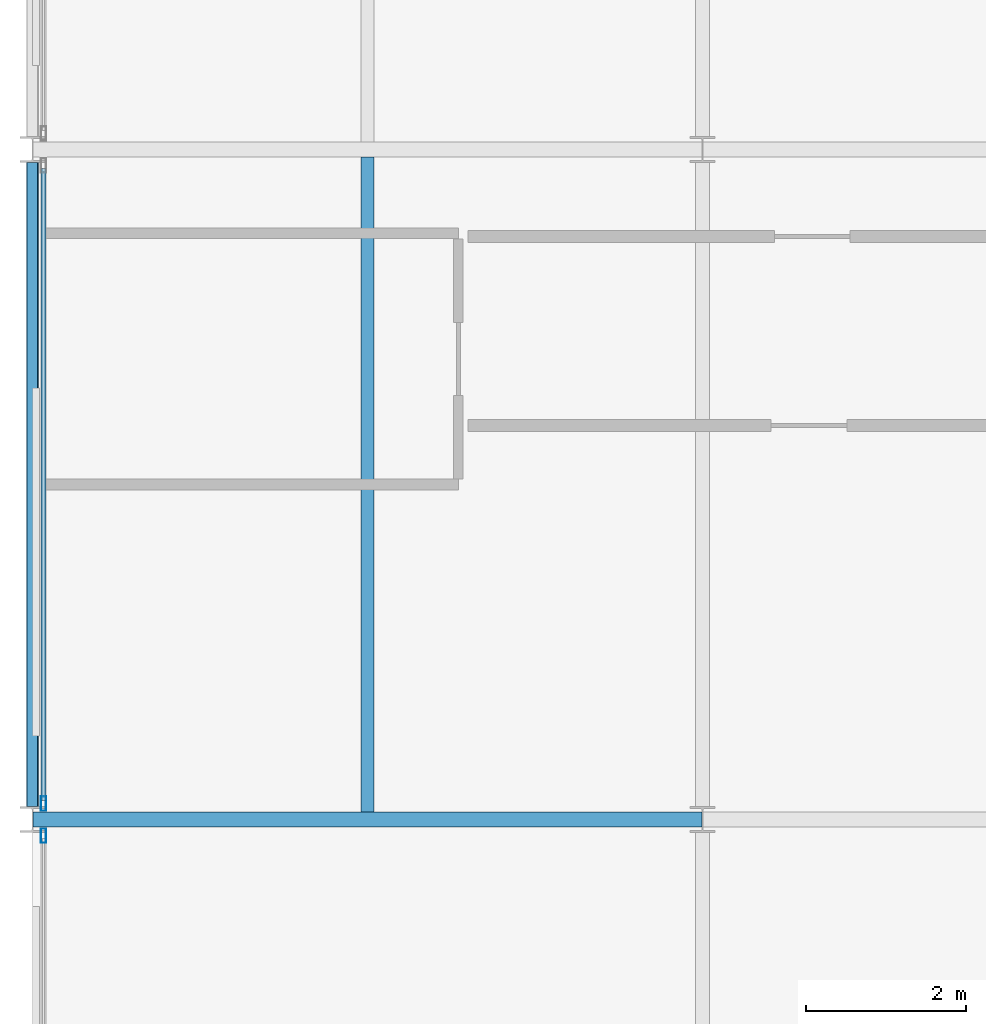
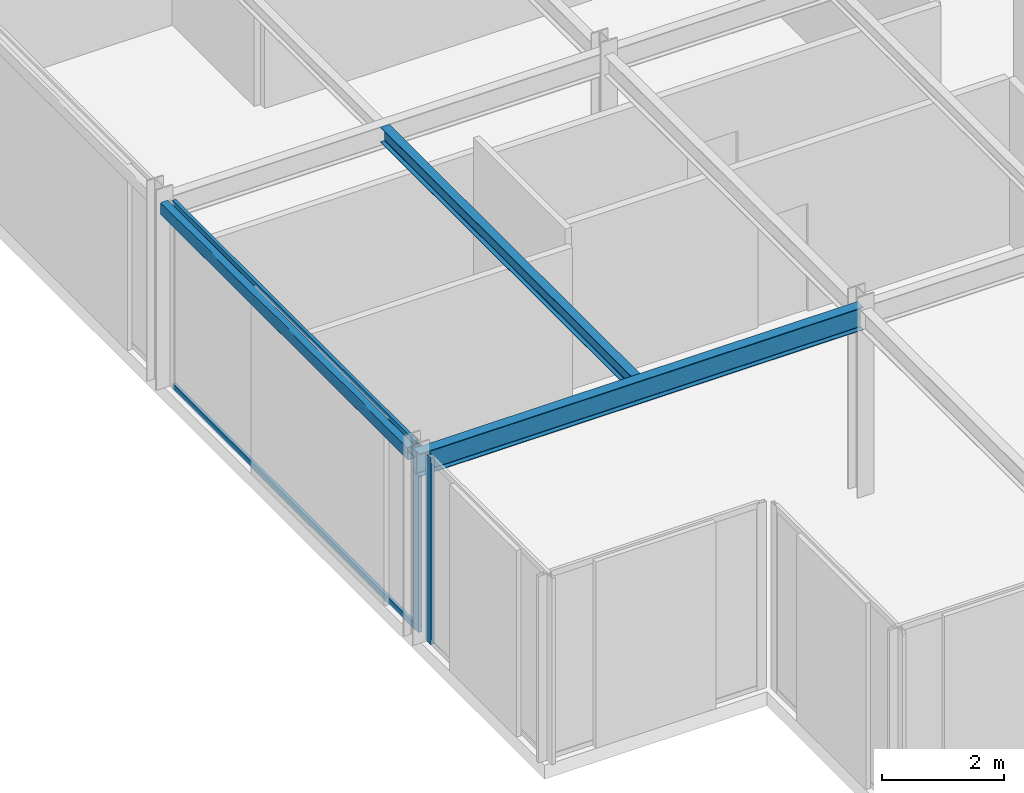
# One storey, part 5 of 26: 4 members, 3 beams, 2 elements without a shape of their own.
"""IFC4 building model written with IfcOpenShell, lengths in metres."""

from ifc_helpers import new_model, si_unit, direction, frame, origin, origin_2d, place, context, subcontext, project, spatial, hollow_rectangle, i_section, extrude, material, layer, layer_set, material_profile, profile_set, type_object, element, aggregate, save


model = new_model("IFC4")

# Units and contexts
model_context = context("Model", 3, precision=1e-05, world=origin(), true_north=direction((0.0, 1.0)))
body_context = subcontext(model_context, "Body", "Model", "MODEL_VIEW")
ifc_project = project(units=[si_unit("LENGTHUNIT", "METRE"), si_unit("AREAUNIT", "SQUARE_METRE"), si_unit("VOLUMEUNIT", "CUBIC_METRE"), si_unit("PLANEANGLEUNIT", "RADIAN"), si_unit("MASSUNIT", "GRAM", prefix="KILO")], contexts=[model_context])

# Site, building, storey
site_placement = place(None, origin())
site = spatial("IfcSite", under=ifc_project, at=site_placement, CompositionType="ELEMENT")
building_placement = place(site_placement, origin())
building = spatial("IfcBuilding", under=site, at=building_placement, Name="Nerrivon Quay Data Exchange", CompositionType="ELEMENT")
storey_placement = place(building_placement, frame((0.0, 0.0, 262.199951171875)))
storey = spatial("IfcBuildingStorey", under=building, at=storey_placement, Name="L62", CompositionType="ELEMENT", Elevation=262.199951171875)

# Beams
ifc_material_1 = material(Name="Steel Grade 350", Category="steel")
ifc_material_profile_1 = material_profile(ifc_material_1, i_section(OverallWidth=0.18994140625, OverallDepth=0.4541015625, WebThickness=0.008544921875, FlangeThickness=0.0126953125, FilletRadius=0.011474609375, at=origin_2d()), Name="460UB67.1")
ifc_profile_set_1 = profile_set([ifc_material_profile_1], Name="Steel Grade 350")
beam_type_1 = type_object("IfcBeamType", Name="BM-G6-460UB67", PredefinedType="BEAM", material=ifc_profile_set_1)
beam_1_placement = place(storey_placement, frame((0.0078125, 8.39990234375, 3.498046875), z_axis=(1.0, 0.0, 0.0), x_axis=(0.0, 1.0, 0.0)))
element("IfcBeam", 1, at=beam_1_placement, inside=storey, type_object=beam_type_1, Name="L62 EW Girder Y=8.4 (0.0..8.4)", PredefinedType="BEAM", context=body_context, shape_type="SweptSolid", body=[
    extrude(i_section(OverallWidth=0.18994140625, OverallDepth=0.4541015625, WebThickness=0.008544921875, FlangeThickness=0.0126953125, FilletRadius=0.011474609375, at=origin_2d()), origin(), (0.0, 0.0, 1.0), 8.38427734375),
])
ifc_material_profile_2 = material_profile(ifc_material_1, i_section(OverallWidth=0.1650390625, OverallDepth=0.303955078125, WebThickness=0.006103515625, FlangeThickness=0.01025390625, FilletRadius=0.011474609375, at=origin_2d()), Name="310UB40.4")
ifc_profile_set_2 = profile_set([ifc_material_profile_2], Name="Steel Grade 350")
beam_type_2 = type_object("IfcBeamType", Name="BM-J6-310UB40", PredefinedType="JOIST", material=ifc_profile_set_2)
beam_2_placement = place(storey_placement, frame((4.199951171875, 8.4951171875, 3.572998046875), z_axis=(0.0, 1.0, 0.0), x_axis=(-1.0, 0.0, 0.0)))
element("IfcBeam", 2, at=beam_2_placement, inside=storey, type_object=beam_type_2, Name="L62 Secondary Joist X=4.2 (8.4..16.8)", PredefinedType="JOIST", context=body_context, shape_type="SweptSolid", body=[
    extrude(i_section(OverallWidth=0.1650390625, OverallDepth=0.303955078125, WebThickness=0.006103515625, FlangeThickness=0.01025390625, FilletRadius=0.011474609375, at=origin_2d()), origin(), (0.0, 0.0, 1.0), 8.2099609375),
])
ifc_material_2 = material(Name="Steel Grade C350L0 (350 MPa)", Category="steel")
ifc_material_profile_3 = material_profile(ifc_material_2, hollow_rectangle(XDim=0.14990234375, YDim=0.25, WallThickness=0.009033203125, InnerFilletRadius=0.013427734375, OuterFilletRadius=0.0224609375, at=origin_2d()), Name="250x150x9.0RHS")
ifc_profile_set_3 = profile_set([ifc_material_profile_3], Name="Steel Grade C350L0 (350 MPa)")
beam_type_3 = type_object("IfcBeamType", Name="BM-SP4-250x150RHS", PredefinedType="SPANDREL", material=ifc_profile_set_3)
beam_3_placement = place(storey_placement, frame((0.0, 8.5634765625, 3.60009765625), z_axis=(0.0, 1.0, 0.0), x_axis=(-1.0, 0.0, 0.0)))
element("IfcBeam", 3, at=beam_3_placement, inside=storey, type_object=beam_type_3, Name="L62 NS Girder X=0.0 (8.4..16.8)", PredefinedType="SPANDREL", context=body_context, shape_type="SweptSolid", body=[
    extrude(hollow_rectangle(XDim=0.14990234375, YDim=0.25, WallThickness=0.009033203125, InnerFilletRadius=0.013427734375, OuterFilletRadius=0.0224609375, at=origin_2d()), origin(), (0.0, 0.0, 1.0), 8.072998046875),
])

# Curtain wall, member
ifc_material_3 = material(Name="Anodised aluminium 6063-T6", Category="aluminium")
ifc_layer = layer(ifc_material_3, 0.195068359375)
ifc_layer_set = layer_set([ifc_layer], Name="Anodised aluminium 6063-T6")
curtain_wall_type = type_object("IfcCurtainWallType", Name="CW-SYS-06", PredefinedType="NOTDEFINED", material=ifc_layer_set)
curtain_wall_1_placement = place(storey_placement, origin())
curtain_wall_1 = element("IfcCurtainWall", 4, at=curtain_wall_1_placement, inside=storey, type_object=curtain_wall_type, Name="L62 Unitised Curtain Wall 11", PredefinedType="NOTDEFINED")
ifc_material_profile_4 = material_profile(ifc_material_3, hollow_rectangle(XDim=0.06494140625, YDim=0.179931640625, WallThickness=0.00341796875, at=origin_2d()), Name="ALU-MULL-180x65")
ifc_profile_set_4 = profile_set([ifc_material_profile_4], Name="Anodised aluminium 6063-T6")
member_type_1 = type_object("IfcMemberType", Name="CWM-180x65", PredefinedType="MULLION", material=ifc_profile_set_4)
member_1_placement = place(storey_placement, frame((0.139892578125, 8.198974609375, 0.0), z_axis=(0.0, 0.0, 1.0), x_axis=(-1.0, 0.0, 0.0)))
member_1 = element("IfcMember", 5, at=member_1_placement, type_object=member_type_1, Name="CW06 mullion 2", PredefinedType="MULLION", context=body_context, shape_type="SweptSolid", body=[
    extrude(hollow_rectangle(XDim=0.06494140625, YDim=0.179931640625, WallThickness=0.00341796875, at=origin_2d()), origin(), (0.0, 0.0, 1.0), 3.72509765625),
])
aggregate(curtain_wall_1, [member_1])

# Curtain wall, members
curtain_wall_2_placement = place(storey_placement, origin())
curtain_wall_2 = element("IfcCurtainWall", 6, at=curtain_wall_2_placement, inside=storey, type_object=curtain_wall_type, Name="L62 Unitised Curtain Wall 12", PredefinedType="NOTDEFINED")
member_2_placement = place(storey_placement, frame((0.139892578125, 8.60107421875, 0.0), z_axis=(0.0, 0.0, 1.0), x_axis=(-1.0, 0.0, 0.0)))
member_2 = element("IfcMember", 7, at=member_2_placement, type_object=member_type_1, Name="CW06 mullion 1", PredefinedType="MULLION", context=body_context, shape_type="SweptSolid", body=[
    extrude(hollow_rectangle(XDim=0.06494140625, YDim=0.179931640625, WallThickness=0.00341796875, at=origin_2d()), origin(), (0.0, 0.0, 1.0), 3.72509765625),
])
ifc_material_profile_5 = material_profile(ifc_material_3, hollow_rectangle(XDim=0.06005859375, YDim=0.1201171875, WallThickness=0.003173828125, at=origin_2d()), Name="ALU-TRAN-120x60")
ifc_profile_set_5 = profile_set([ifc_material_profile_5], Name="Anodised aluminium 6063-T6")
member_type_2 = type_object("IfcMemberType", Name="CWT-120x60", PredefinedType="USERDEFINED", material=ifc_profile_set_5)
member_3_placement = place(storey_placement, frame((0.139892578125, 8.638427734375, 0.032470703125), z_axis=(0.0, 1.0, 0.0), x_axis=(-1.0, 0.0, 0.0)))
member_3 = element("IfcMember", 8, at=member_3_placement, type_object=member_type_2, Name="CW06 transom 1.1", ObjectType="TRANSOM", PredefinedType="USERDEFINED", context=body_context, shape_type="SweptSolid", body=[
    extrude(hollow_rectangle(XDim=0.06005859375, YDim=0.1201171875, WallThickness=0.003173828125, at=origin_2d()), origin(), (0.0, 0.0, 1.0), 7.923095703125),
])
member_4_placement = place(storey_placement, frame((0.139892578125, 8.638427734375, 3.692626953125), z_axis=(0.0, 1.0, 0.0), x_axis=(-1.0, 0.0, 0.0)))
member_4 = element("IfcMember", 9, at=member_4_placement, type_object=member_type_2, Name="CW06 transom 1.2", ObjectType="TRANSOM", PredefinedType="USERDEFINED", context=body_context, shape_type="SweptSolid", body=[
    extrude(hollow_rectangle(XDim=0.06005859375, YDim=0.1201171875, WallThickness=0.003173828125, at=origin_2d()), origin(), (0.0, 0.0, 1.0), 7.923095703125),
])
aggregate(curtain_wall_2, [member_2, member_3, member_4])

save(model, "model.ifc")
